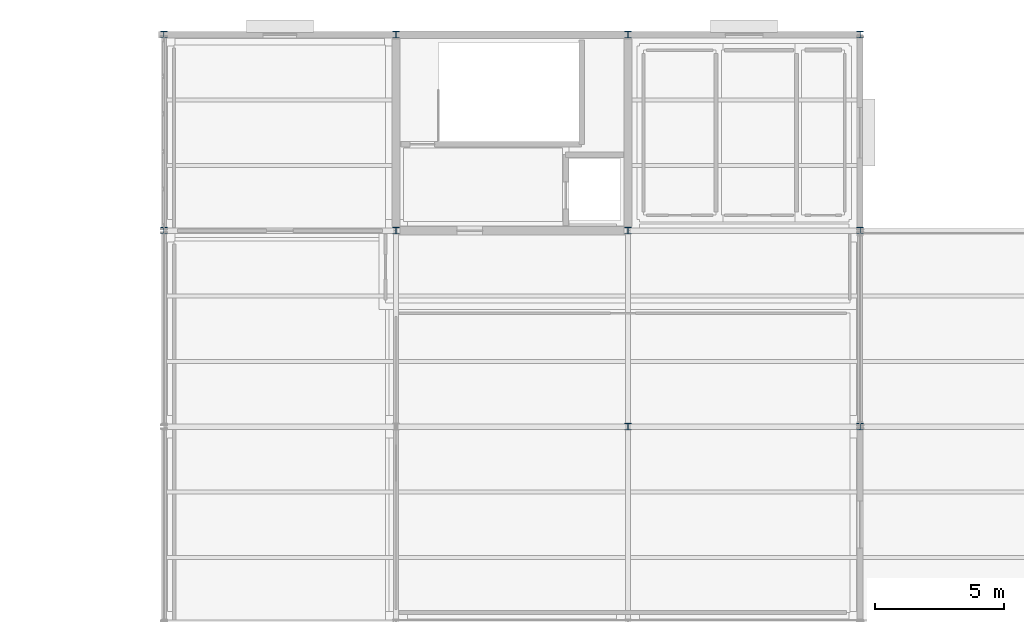
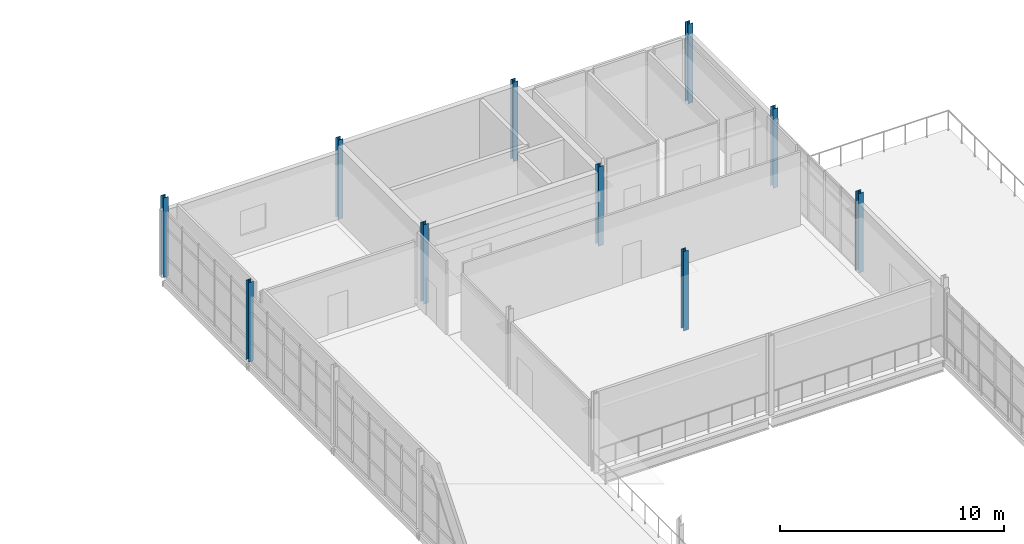
# One storey, part 5 of 48: 10 columns.
"""IFC4 building model written with IfcOpenShell, lengths in metres."""

from ifc_helpers import new_model, si_unit, direction, frame, origin, origin_2d, place, context, subcontext, project, spatial, i_section, extrude, material, material_profile, profile_set, type_object, element, save


model = new_model("IFC4")

# Units and contexts
model_context = context("Model", 3, precision=1e-05, world=origin(), true_north=direction((0.0, 1.0)))
body_context = subcontext(model_context, "Body", "Model", "MODEL_VIEW")
ifc_project = project(units=[si_unit("LENGTHUNIT", "METRE"), si_unit("AREAUNIT", "SQUARE_METRE"), si_unit("VOLUMEUNIT", "CUBIC_METRE"), si_unit("PLANEANGLEUNIT", "RADIAN"), si_unit("MASSUNIT", "GRAM", prefix="KILO")], contexts=[model_context])

# Site, building, storey
site_placement = place(None, origin())
site = spatial("IfcSite", under=ifc_project, at=site_placement, CompositionType="ELEMENT")
building_placement = place(site_placement, origin())
building = spatial("IfcBuilding", under=site, at=building_placement, Name="Caisbarro Railhouse Central Library", CompositionType="ELEMENT")
storey_placement = place(building_placement, frame((0.0, 0.0, 18.0)))
storey = spatial("IfcBuildingStorey", under=building, at=storey_placement, Name="L04", CompositionType="ELEMENT", Elevation=18.0)

# Columns
ifc_material = material(Name="Steel ASTM A572 Grade 50", Category="steel")
ifc_material_profile = material_profile(ifc_material, i_section(OverallWidth=0.25390625, OverallDepth=0.2529296875, WebThickness=0.008544921875, FlangeThickness=0.01416015625, FilletRadius=0.011962890625, at=origin_2d()), Name="W250X73.0")
ifc_profile_set = profile_set([ifc_material_profile], Name="Steel ASTM A572 Grade 50")
column_type = type_object("IfcColumnType", Name="COL-C08", PredefinedType="COLUMN", material=ifc_profile_set)
for number, where, z_axis, x_axis, name in (
    (1, (117.0, 106.39990234375, 0.0), (0.0, 0.0, 1.0), (1.0, 0.0, 0.0), "C08 column L04 (117.0,106.4)"),
    (2, (117.0, 114.0, 0.0), (0.0, 0.0, 1.0), (1.0, 0.0, 0.0), "C08 column L04 (117.0,114.0)"),
    (3, (126.0, 106.39990234375, 0.0), (0.0, 0.0, 1.0), (1.0, 0.0, 0.0), "C08 column L04 (126.0,106.4)"),
    (4, (126.0, 114.0, 0.0), (0.0, 0.0, 1.0), (1.0, 0.0, 0.0), "C08 column L04 (126.0,114.0)"),
    (5, (135.0, 98.800048828125, 0.0), (0.0, 0.0, 1.0), (1.0, 0.0, 0.0), "C08 column L04 (135.0,98.8)"),
    (6, (135.0, 106.39990234375, 0.0), (0.0, 0.0, 1.0), (1.0, 0.0, 0.0), "C08 column L04 (135.0,106.4)"),
    (7, (135.0, 114.0, 0.0), (0.0, 0.0, 1.0), (1.0, 0.0, 0.0), "C08 column L04 (135.0,114.0)"),
    (8, (144.0, 98.800048828125, 0.0), (0.0, 0.0, 1.0), (1.0, 0.0, 0.0), "C08 column L04 (144.0,98.8)"),
    (9, (144.0, 106.39990234375, 0.0), (0.0, 0.0, 1.0), (1.0, 0.0, 0.0), "C08 column L04 (144.0,106.4)"),
    (10, (144.0, 114.0, 0.0), (0.0, 0.0, 1.0), (1.0, 0.0, 0.0), "C08 column L04 (144.0,114.0)"),
):
    element("IfcColumn", number, at=place(storey_placement, frame(where, z_axis=z_axis, x_axis=x_axis)), inside=storey, type_object=column_type, Name=name, PredefinedType="COLUMN", context=body_context, shape_type="SweptSolid", body=[
        extrude(i_section(OverallWidth=0.25390625, OverallDepth=0.2529296875, WebThickness=0.008544921875, FlangeThickness=0.01416015625, FilletRadius=0.011962890625, at=origin_2d()), origin(), (0.0, 0.0, 1.0), 4.320068359375),
    ])

save(model, "model.ifc")
